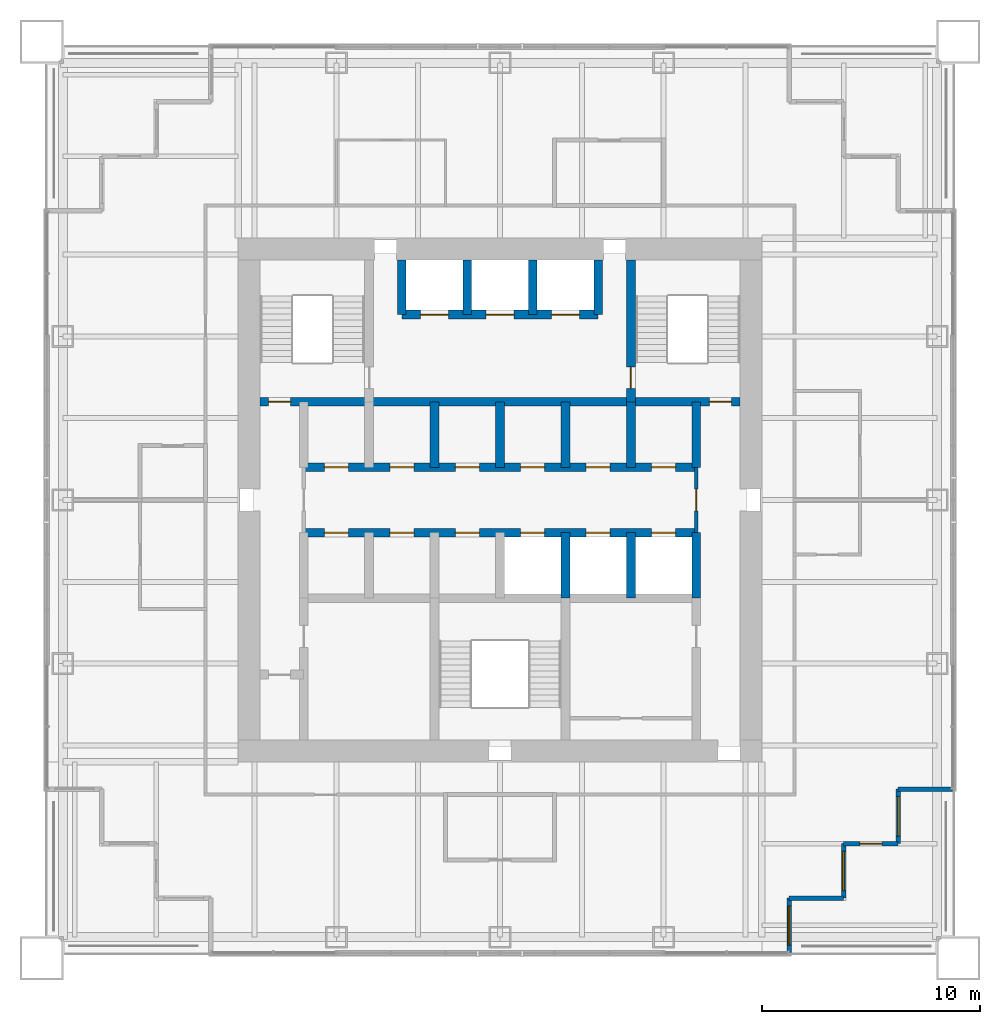
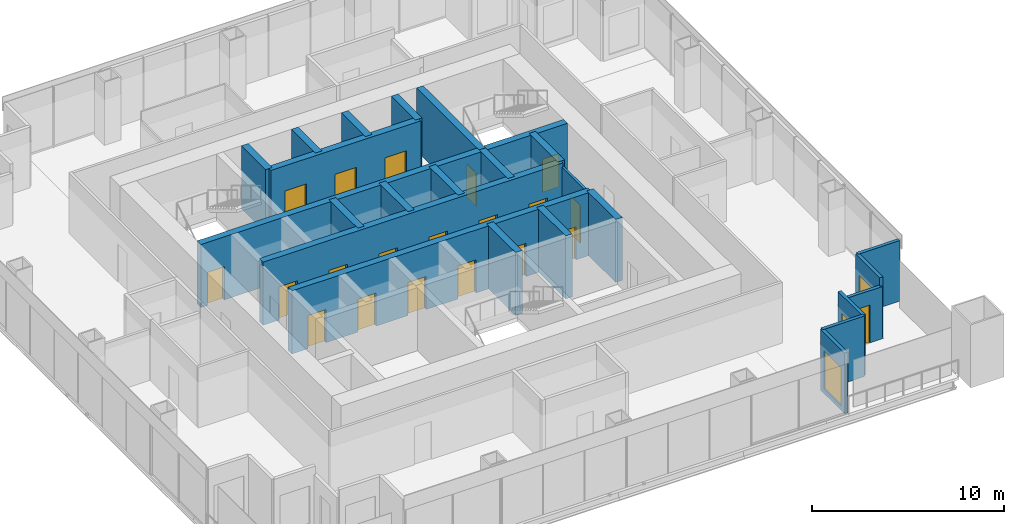
# One storey, part 10 of 14: 24 walls, 20 doors, 3 windows, 23 openings.
"""IFC4 building model written with IfcOpenShell, lengths in metres."""

from ifc_helpers import new_model, si_unit, direction, frame, frame_2d, origin, place, context, subcontext, project, spatial, rectangle, extrude, material, layer, layer_set, type_object, element, fill, save


model = new_model("IFC4")

# Units and contexts
model_context = context("Model", 3, precision=1e-05, world=origin(), true_north=direction((0.0, 1.0)))
body_context = subcontext(model_context, "Body", "Model", "MODEL_VIEW")
ifc_project = project(units=[si_unit("LENGTHUNIT", "METRE"), si_unit("AREAUNIT", "SQUARE_METRE"), si_unit("VOLUMEUNIT", "CUBIC_METRE"), si_unit("PLANEANGLEUNIT", "RADIAN"), si_unit("MASSUNIT", "GRAM", prefix="KILO")], contexts=[model_context])

# Site, building, storey
site_placement = place(None, origin())
site = spatial("IfcSite", under=ifc_project, at=site_placement, CompositionType="ELEMENT")
building_placement = place(site_placement, origin())
building = spatial("IfcBuilding", under=site, at=building_placement, Name="Tarangal Relay Tower", CompositionType="ELEMENT")
storey_placement = place(building_placement, frame((0.0, 0.0, 279.89990234375)))
storey = spatial("IfcBuildingStorey", under=building, at=storey_placement, Name="L61", CompositionType="ELEMENT", Elevation=279.89990234375)

# Wall, openings, doors
ifc_material_1 = material(Name="Concrete fc' 60 MPa", Category="concrete")
ifc_layer_1 = layer(ifc_material_1, 0.39990234375)
ifc_layer_set_1 = layer_set([ifc_layer_1], Name="Core inner wall 400")
wall_type_1 = type_object("IfcWallType", Name="Core inner wall 400", PredefinedType="SHEAR", material=ifc_layer_set_1)
wall_1_placement = place(storey_placement, frame((-11.0, 4.5, 0.0), z_axis=(0.0, 0.0, 1.0), x_axis=(1.0, 0.0, 0.0)))
wall_1 = element("IfcWall", 1, at=wall_1_placement, inside=storey, type_object=wall_type_1, Name="Core wall Y45 L61", PredefinedType="SHEAR", context=body_context, shape_type="SweptSolid", body=[
    extrude(rectangle(XDim=22.0, YDim=0.39990234375, at=frame_2d((11.0, 0.0))), origin(), (0.0, 0.0, 1.0), 4.0),
])
opening_1_placement = place(wall_1_placement, frame((0.39990234375, 0.0, 0.0)))
opening_1 = element("IfcOpeningElement", 2, at=opening_1_placement, cuts=wall_1, Name="Opening FD1", PredefinedType="OPENING", context=body_context, shape_type="SweptSolid", body=[
    extrude(rectangle(XDim=1.0, YDim=2.10009765625, at=frame_2d((0.5, 1.050048828125))), frame((0.0, 0.2099609375, 0.0), z_axis=(0.0, -1.0, 0.0), x_axis=(1.0, 0.0, 0.0)), (0.0, 0.0, 1.0), 0.419921875),
])
opening_2_placement = place(wall_1_placement, frame((20.60009765625, 0.0, 0.0)))
opening_2 = element("IfcOpeningElement", 3, at=opening_2_placement, cuts=wall_1, Name="Opening FD1", PredefinedType="OPENING", context=body_context, shape_type="SweptSolid", body=[
    extrude(rectangle(XDim=1.0, YDim=2.10009765625, at=frame_2d((0.5, 1.050048828125))), frame((0.0, 0.2099609375, 0.0), z_axis=(0.0, -1.0, 0.0), x_axis=(1.0, 0.0, 0.0)), (0.0, 0.0, 1.0), 0.419921875),
])
ifc_material_2 = material(Name="Steel door with hardwood frame", Category="steel")
door_type_1 = type_object("IfcDoorType", Name="Fire door 1000 x 2100", OperationType="SINGLE_SWING_LEFT", PredefinedType="DOOR", material=ifc_material_2)
door_1_placement = place(opening_1_placement, origin())
door_1 = element("IfcDoor", 4, at=door_1_placement, inside=storey, type_object=door_type_1, Name="Stair ST-A door from corridor L61", OperationType="SINGLE_SWING_LEFT", OverallHeight=2.10009765625, OverallWidth=1.0, PredefinedType="DOOR", context=body_context, shape_type="SweptSolid", body=[
    extrude(rectangle(XDim=1.0, YDim=2.10009765625, at=frame_2d((0.5, 1.050048828125))), frame((0.0, 0.02490234375, 0.0), z_axis=(0.0, -1.0, 0.0), x_axis=(1.0, 0.0, 0.0)), (0.0, 0.0, 1.0), 0.050048828125),
])
fill(opening_1, door_1)
door_2_placement = place(opening_2_placement, origin())
door_2 = element("IfcDoor", 5, at=door_2_placement, inside=storey, type_object=door_type_1, Name="Stair ST-B door from corridor L61", OperationType="SINGLE_SWING_LEFT", OverallHeight=2.10009765625, OverallWidth=1.0, PredefinedType="DOOR", context=body_context, shape_type="SweptSolid", body=[
    extrude(rectangle(XDim=1.0, YDim=2.10009765625, at=frame_2d((0.5, 1.050048828125))), frame((0.0, 0.02490234375, 0.0), z_axis=(0.0, -1.0, 0.0), x_axis=(1.0, 0.0, 0.0)), (0.0, 0.0, 1.0), 0.050048828125),
])
fill(opening_2, door_2)

wall_2_placement = place(storey_placement, frame((-9.0, 1.5, 0.0), z_axis=(0.0, 0.0, 1.0), x_axis=(1.0, 0.0, 0.0)))
wall_2 = element("IfcWall", 6, at=wall_2_placement, inside=storey, type_object=wall_type_1, Name="Core wall Y15 L61", PredefinedType="SHEAR", context=body_context, shape_type="SweptSolid", body=[
    extrude(rectangle(XDim=18.0, YDim=0.39990234375, at=frame_2d((9.0, 0.0))), origin(), (0.0, 0.0, 1.0), 4.0),
])
opening_3_placement = place(wall_2_placement, frame((0.949951171875, 0.0, 0.0)))
opening_3 = element("IfcOpeningElement", 7, at=opening_3_placement, cuts=wall_2, Name="Opening D4", PredefinedType="OPENING", context=body_context, shape_type="SweptSolid", body=[
    extrude(rectangle(XDim=1.10009765625, YDim=2.10009765625, at=frame_2d((0.550048828125, 1.050048828125))), frame((0.0, 0.2099609375, 0.0), z_axis=(0.0, -1.0, 0.0), x_axis=(1.0, 0.0, 0.0)), (0.0, 0.0, 1.0), 0.419921875),
])
opening_4_placement = place(wall_2_placement, frame((3.949951171875, 0.0, 0.0)))
opening_4 = element("IfcOpeningElement", 8, at=opening_4_placement, cuts=wall_2, Name="Opening D4", PredefinedType="OPENING", context=body_context, shape_type="SweptSolid", body=[
    extrude(rectangle(XDim=1.10009765625, YDim=2.10009765625, at=frame_2d((0.550048828125, 1.050048828125))), frame((0.0, 0.2099609375, 0.0), z_axis=(0.0, -1.0, 0.0), x_axis=(1.0, 0.0, 0.0)), (0.0, 0.0, 1.0), 0.419921875),
])
opening_5_placement = place(wall_2_placement, frame((6.949951171875, 0.0, 0.0)))
opening_5 = element("IfcOpeningElement", 9, at=opening_5_placement, cuts=wall_2, Name="Opening D4", PredefinedType="OPENING", context=body_context, shape_type="SweptSolid", body=[
    extrude(rectangle(XDim=1.10009765625, YDim=2.10009765625, at=frame_2d((0.550048828125, 1.050048828125))), frame((0.0, 0.2099609375, 0.0), z_axis=(0.0, -1.0, 0.0), x_axis=(1.0, 0.0, 0.0)), (0.0, 0.0, 1.0), 0.419921875),
])
opening_6_placement = place(wall_2_placement, frame((9.949951171875, 0.0, 0.0)))
opening_6 = element("IfcOpeningElement", 10, at=opening_6_placement, cuts=wall_2, Name="Opening D4", PredefinedType="OPENING", context=body_context, shape_type="SweptSolid", body=[
    extrude(rectangle(XDim=1.10009765625, YDim=2.10009765625, at=frame_2d((0.550048828125, 1.050048828125))), frame((0.0, 0.2099609375, 0.0), z_axis=(0.0, -1.0, 0.0), x_axis=(1.0, 0.0, 0.0)), (0.0, 0.0, 1.0), 0.419921875),
])
opening_7_placement = place(wall_2_placement, frame((12.949951171875, 0.0, 0.0)))
opening_7 = element("IfcOpeningElement", 11, at=opening_7_placement, cuts=wall_2, Name="Opening D4", PredefinedType="OPENING", context=body_context, shape_type="SweptSolid", body=[
    extrude(rectangle(XDim=1.10009765625, YDim=2.10009765625, at=frame_2d((0.550048828125, 1.050048828125))), frame((0.0, 0.2099609375, 0.0), z_axis=(0.0, -1.0, 0.0), x_axis=(1.0, 0.0, 0.0)), (0.0, 0.0, 1.0), 0.419921875),
])
opening_8_placement = place(wall_2_placement, frame((15.949951171875, 0.0, 0.0)))
opening_8 = element("IfcOpeningElement", 12, at=opening_8_placement, cuts=wall_2, Name="Opening D4", PredefinedType="OPENING", context=body_context, shape_type="SweptSolid", body=[
    extrude(rectangle(XDim=1.10009765625, YDim=2.10009765625, at=frame_2d((0.550048828125, 1.050048828125))), frame((0.0, 0.2099609375, 0.0), z_axis=(0.0, -1.0, 0.0), x_axis=(1.0, 0.0, 0.0)), (0.0, 0.0, 1.0), 0.419921875),
])
door_type_2 = type_object("IfcDoorType", Name="Core room door 1100 x 2100", OperationType="SINGLE_SWING_RIGHT", PredefinedType="DOOR", material=ifc_material_2)
door_3_placement = place(opening_3_placement, origin())
door_3 = element("IfcDoor", 13, at=door_3_placement, inside=storey, type_object=door_type_2, Name="Door D4 to staff wc L61-D1", OperationType="SINGLE_SWING_RIGHT", OverallHeight=2.10009765625, OverallWidth=1.10009765625, PredefinedType="DOOR", context=body_context, shape_type="SweptSolid", body=[
    extrude(rectangle(XDim=1.10009765625, YDim=2.10009765625, at=frame_2d((0.550048828125, 1.050048828125))), frame((0.0, 0.02490234375, 0.0), z_axis=(0.0, -1.0, 0.0), x_axis=(1.0, 0.0, 0.0)), (0.0, 0.0, 1.0), 0.050048828125),
])
fill(opening_3, door_3)
door_4_placement = place(opening_4_placement, origin())
door_4 = element("IfcDoor", 14, at=door_4_placement, inside=storey, type_object=door_type_2, Name="Door D4 to staff pantry L61-D2", OperationType="SINGLE_SWING_RIGHT", OverallHeight=2.10009765625, OverallWidth=1.10009765625, PredefinedType="DOOR", context=body_context, shape_type="SweptSolid", body=[
    extrude(rectangle(XDim=1.10009765625, YDim=2.10009765625, at=frame_2d((0.550048828125, 1.050048828125))), frame((0.0, 0.02490234375, 0.0), z_axis=(0.0, -1.0, 0.0), x_axis=(1.0, 0.0, 0.0)), (0.0, 0.0, 1.0), 0.050048828125),
])
fill(opening_4, door_4)
door_5_placement = place(opening_5_placement, origin())
door_5 = element("IfcDoor", 15, at=door_5_placement, inside=storey, type_object=door_type_2, Name="Door D4 to it room L61-D3", OperationType="SINGLE_SWING_RIGHT", OverallHeight=2.10009765625, OverallWidth=1.10009765625, PredefinedType="DOOR", context=body_context, shape_type="SweptSolid", body=[
    extrude(rectangle(XDim=1.10009765625, YDim=2.10009765625, at=frame_2d((0.550048828125, 1.050048828125))), frame((0.0, 0.02490234375, 0.0), z_axis=(0.0, -1.0, 0.0), x_axis=(1.0, 0.0, 0.0)), (0.0, 0.0, 1.0), 0.050048828125),
])
fill(opening_5, door_5)
door_6_placement = place(opening_6_placement, origin())
door_6 = element("IfcDoor", 16, at=door_6_placement, inside=storey, type_object=door_type_2, Name="Door D4 to cleaner's store L61-T1", OperationType="SINGLE_SWING_RIGHT", OverallHeight=2.10009765625, OverallWidth=1.10009765625, PredefinedType="DOOR", context=body_context, shape_type="SweptSolid", body=[
    extrude(rectangle(XDim=1.10009765625, YDim=2.10009765625, at=frame_2d((0.550048828125, 1.050048828125))), frame((0.0, 0.02490234375, 0.0), z_axis=(0.0, -1.0, 0.0), x_axis=(1.0, 0.0, 0.0)), (0.0, 0.0, 1.0), 0.050048828125),
])
fill(opening_6, door_6)
door_7_placement = place(opening_7_placement, origin())
door_7 = element("IfcDoor", 17, at=door_7_placement, inside=storey, type_object=door_type_2, Name="Door D4 to staff wc L61-T2", OperationType="SINGLE_SWING_RIGHT", OverallHeight=2.10009765625, OverallWidth=1.10009765625, PredefinedType="DOOR", context=body_context, shape_type="SweptSolid", body=[
    extrude(rectangle(XDim=1.10009765625, YDim=2.10009765625, at=frame_2d((0.550048828125, 1.050048828125))), frame((0.0, 0.02490234375, 0.0), z_axis=(0.0, -1.0, 0.0), x_axis=(1.0, 0.0, 0.0)), (0.0, 0.0, 1.0), 0.050048828125),
])
fill(opening_7, door_7)
door_8_placement = place(opening_8_placement, origin())
door_8 = element("IfcDoor", 18, at=door_8_placement, inside=storey, type_object=door_type_2, Name="Door D4 to staff pantry L61-T3", OperationType="SINGLE_SWING_RIGHT", OverallHeight=2.10009765625, OverallWidth=1.10009765625, PredefinedType="DOOR", context=body_context, shape_type="SweptSolid", body=[
    extrude(rectangle(XDim=1.10009765625, YDim=2.10009765625, at=frame_2d((0.550048828125, 1.050048828125))), frame((0.0, 0.02490234375, 0.0), z_axis=(0.0, -1.0, 0.0), x_axis=(1.0, 0.0, 0.0)), (0.0, 0.0, 1.0), 0.050048828125),
])
fill(opening_8, door_8)

wall_3_placement = place(storey_placement, frame((-9.0, -1.5, 0.0), z_axis=(0.0, 0.0, 1.0), x_axis=(1.0, 0.0, 0.0)))
wall_3 = element("IfcWall", 19, at=wall_3_placement, inside=storey, type_object=wall_type_1, Name="Core wall YM15 L61", PredefinedType="SHEAR", context=body_context, shape_type="SweptSolid", body=[
    extrude(rectangle(XDim=18.0, YDim=0.39990234375, at=frame_2d((9.0, 0.0))), origin(), (0.0, 0.0, 1.0), 4.0),
])
opening_9_placement = place(wall_3_placement, frame((9.949951171875, 0.0, 0.0)))
opening_9 = element("IfcOpeningElement", 20, at=opening_9_placement, cuts=wall_3, Name="Opening LD1", PredefinedType="OPENING", context=body_context, shape_type="SweptSolid", body=[
    extrude(rectangle(XDim=1.10009765625, YDim=2.10009765625, at=frame_2d((0.550048828125, 1.050048828125))), frame((0.0, 0.2099609375, 0.0), z_axis=(0.0, -1.0, 0.0), x_axis=(1.0, 0.0, 0.0)), (0.0, 0.0, 1.0), 0.419921875),
])
opening_10_placement = place(wall_3_placement, frame((12.949951171875, 0.0, 0.0)))
opening_10 = element("IfcOpeningElement", 21, at=opening_10_placement, cuts=wall_3, Name="Opening LD1", PredefinedType="OPENING", context=body_context, shape_type="SweptSolid", body=[
    extrude(rectangle(XDim=1.10009765625, YDim=2.10009765625, at=frame_2d((0.550048828125, 1.050048828125))), frame((0.0, 0.2099609375, 0.0), z_axis=(0.0, -1.0, 0.0), x_axis=(1.0, 0.0, 0.0)), (0.0, 0.0, 1.0), 0.419921875),
])
opening_11_placement = place(wall_3_placement, frame((15.949951171875, 0.0, 0.0)))
opening_11 = element("IfcOpeningElement", 22, at=opening_11_placement, cuts=wall_3, Name="Opening LD1", PredefinedType="OPENING", context=body_context, shape_type="SweptSolid", body=[
    extrude(rectangle(XDim=1.10009765625, YDim=2.10009765625, at=frame_2d((0.550048828125, 1.050048828125))), frame((0.0, 0.2099609375, 0.0), z_axis=(0.0, -1.0, 0.0), x_axis=(1.0, 0.0, 0.0)), (0.0, 0.0, 1.0), 0.419921875),
])
opening_12_placement = place(wall_3_placement, frame((0.949951171875, 0.0, 0.0)))
opening_12 = element("IfcOpeningElement", 23, at=opening_12_placement, cuts=wall_3, Name="Opening D4", PredefinedType="OPENING", context=body_context, shape_type="SweptSolid", body=[
    extrude(rectangle(XDim=1.10009765625, YDim=2.10009765625, at=frame_2d((0.550048828125, 1.050048828125))), frame((0.0, 0.2099609375, 0.0), z_axis=(0.0, -1.0, 0.0), x_axis=(1.0, 0.0, 0.0)), (0.0, 0.0, 1.0), 0.419921875),
])
opening_13_placement = place(wall_3_placement, frame((3.949951171875, 0.0, 0.0)))
opening_13 = element("IfcOpeningElement", 24, at=opening_13_placement, cuts=wall_3, Name="Opening D4", PredefinedType="OPENING", context=body_context, shape_type="SweptSolid", body=[
    extrude(rectangle(XDim=1.10009765625, YDim=2.10009765625, at=frame_2d((0.550048828125, 1.050048828125))), frame((0.0, 0.2099609375, 0.0), z_axis=(0.0, -1.0, 0.0), x_axis=(1.0, 0.0, 0.0)), (0.0, 0.0, 1.0), 0.419921875),
])
opening_14_placement = place(wall_3_placement, frame((6.949951171875, 0.0, 0.0)))
opening_14 = element("IfcOpeningElement", 25, at=opening_14_placement, cuts=wall_3, Name="Opening D4", PredefinedType="OPENING", context=body_context, shape_type="SweptSolid", body=[
    extrude(rectangle(XDim=1.10009765625, YDim=2.10009765625, at=frame_2d((0.550048828125, 1.050048828125))), frame((0.0, 0.2099609375, 0.0), z_axis=(0.0, -1.0, 0.0), x_axis=(1.0, 0.0, 0.0)), (0.0, 0.0, 1.0), 0.419921875),
])
door_9_placement = place(opening_12_placement, origin())
door_9 = element("IfcDoor", 26, at=door_9_placement, inside=storey, type_object=door_type_2, Name="Door D4 to it room L61-S1", OperationType="SINGLE_SWING_RIGHT", OverallHeight=2.10009765625, OverallWidth=1.10009765625, PredefinedType="DOOR", context=body_context, shape_type="SweptSolid", body=[
    extrude(rectangle(XDim=1.10009765625, YDim=2.10009765625, at=frame_2d((0.550048828125, 1.050048828125))), frame((0.0, 0.02490234375, 0.0), z_axis=(0.0, -1.0, 0.0), x_axis=(1.0, 0.0, 0.0)), (0.0, 0.0, 1.0), 0.050048828125),
])
fill(opening_12, door_9)
door_10_placement = place(opening_13_placement, origin())
door_10 = element("IfcDoor", 27, at=door_10_placement, inside=storey, type_object=door_type_2, Name="Door D4 to cleaner's store L61-S2", OperationType="SINGLE_SWING_RIGHT", OverallHeight=2.10009765625, OverallWidth=1.10009765625, PredefinedType="DOOR", context=body_context, shape_type="SweptSolid", body=[
    extrude(rectangle(XDim=1.10009765625, YDim=2.10009765625, at=frame_2d((0.550048828125, 1.050048828125))), frame((0.0, 0.02490234375, 0.0), z_axis=(0.0, -1.0, 0.0), x_axis=(1.0, 0.0, 0.0)), (0.0, 0.0, 1.0), 0.050048828125),
])
fill(opening_13, door_10)
door_11_placement = place(opening_14_placement, origin())
door_11 = element("IfcDoor", 28, at=door_11_placement, inside=storey, type_object=door_type_2, Name="Door D4 to staff wc L61-S3", OperationType="SINGLE_SWING_RIGHT", OverallHeight=2.10009765625, OverallWidth=1.10009765625, PredefinedType="DOOR", context=body_context, shape_type="SweptSolid", body=[
    extrude(rectangle(XDim=1.10009765625, YDim=2.10009765625, at=frame_2d((0.550048828125, 1.050048828125))), frame((0.0, 0.02490234375, 0.0), z_axis=(0.0, -1.0, 0.0), x_axis=(1.0, 0.0, 0.0)), (0.0, 0.0, 1.0), 0.050048828125),
])
fill(opening_14, door_11)
door_type_3 = type_object("IfcDoorType", Name="Lift landing door 1100 x 2100", OperationType="SLIDING_TO_LEFT", PredefinedType="DOOR", material=ifc_material_2)
door_12_placement = place(opening_9_placement, origin())
door_12 = element("IfcDoor", 29, at=door_12_placement, inside=storey, type_object=door_type_3, Name="Lift OH1 landing door L61", OperationType="SLIDING_TO_LEFT", OverallHeight=2.10009765625, OverallWidth=1.10009765625, PredefinedType="DOOR", context=body_context, shape_type="SweptSolid", body=[
    extrude(rectangle(XDim=1.10009765625, YDim=2.10009765625, at=frame_2d((0.550048828125, 1.050048828125))), frame((0.0, 0.02490234375, 0.0), z_axis=(0.0, -1.0, 0.0), x_axis=(1.0, 0.0, 0.0)), (0.0, 0.0, 1.0), 0.050048828125),
])
fill(opening_9, door_12)
door_13_placement = place(opening_10_placement, origin())
door_13 = element("IfcDoor", 30, at=door_13_placement, inside=storey, type_object=door_type_3, Name="Lift OH2 landing door L61", OperationType="SLIDING_TO_LEFT", OverallHeight=2.10009765625, OverallWidth=1.10009765625, PredefinedType="DOOR", context=body_context, shape_type="SweptSolid", body=[
    extrude(rectangle(XDim=1.10009765625, YDim=2.10009765625, at=frame_2d((0.550048828125, 1.050048828125))), frame((0.0, 0.02490234375, 0.0), z_axis=(0.0, -1.0, 0.0), x_axis=(1.0, 0.0, 0.0)), (0.0, 0.0, 1.0), 0.050048828125),
])
fill(opening_10, door_13)
door_14_placement = place(opening_11_placement, origin())
door_14 = element("IfcDoor", 31, at=door_14_placement, inside=storey, type_object=door_type_3, Name="Lift OH3 landing door L61", OperationType="SLIDING_TO_LEFT", OverallHeight=2.10009765625, OverallWidth=1.10009765625, PredefinedType="DOOR", context=body_context, shape_type="SweptSolid", body=[
    extrude(rectangle(XDim=1.10009765625, YDim=2.10009765625, at=frame_2d((0.550048828125, 1.050048828125))), frame((0.0, 0.02490234375, 0.0), z_axis=(0.0, -1.0, 0.0), x_axis=(1.0, 0.0, 0.0)), (0.0, 0.0, 1.0), 0.050048828125),
])
fill(opening_11, door_14)

wall_4_placement = place(storey_placement, frame((-4.5, 8.5, 0.0), z_axis=(0.0, 0.0, 1.0), x_axis=(1.0, 0.0, 0.0)))
wall_4 = element("IfcWall", 32, at=wall_4_placement, inside=storey, type_object=wall_type_1, Name="Core wall Y85 L61", PredefinedType="SHEAR", context=body_context, shape_type="SweptSolid", body=[
    extrude(rectangle(XDim=9.0, YDim=0.39990234375, at=frame_2d((4.5, 0.0))), origin(), (0.0, 0.0, 1.0), 4.0),
])
opening_15_placement = place(wall_4_placement, frame((0.85009765625, 0.0, 0.0)))
opening_15 = element("IfcOpeningElement", 33, at=opening_15_placement, cuts=wall_4, Name="Opening LD2", PredefinedType="OPENING", context=body_context, shape_type="SweptSolid", body=[
    extrude(rectangle(XDim=1.300048828125, YDim=2.39990234375, at=frame_2d((0.64990234375, 1.199951171875))), frame((0.0, 0.2099609375, 0.0), z_axis=(0.0, -1.0, 0.0), x_axis=(1.0, 0.0, 0.0)), (0.0, 0.0, 1.0), 0.419921875),
])
opening_16_placement = place(wall_4_placement, frame((6.85009765625, 0.0, 0.0)))
opening_16 = element("IfcOpeningElement", 34, at=opening_16_placement, cuts=wall_4, Name="Opening LD2", PredefinedType="OPENING", context=body_context, shape_type="SweptSolid", body=[
    extrude(rectangle(XDim=1.300048828125, YDim=2.39990234375, at=frame_2d((0.64990234375, 1.199951171875))), frame((0.0, 0.2099609375, 0.0), z_axis=(0.0, -1.0, 0.0), x_axis=(1.0, 0.0, 0.0)), (0.0, 0.0, 1.0), 0.419921875),
])
opening_17_placement = place(wall_4_placement, frame((3.85009765625, 0.0, 0.0)))
opening_17 = element("IfcOpeningElement", 35, at=opening_17_placement, cuts=wall_4, Name="Opening LD2", PredefinedType="OPENING", context=body_context, shape_type="SweptSolid", body=[
    extrude(rectangle(XDim=1.300048828125, YDim=2.39990234375, at=frame_2d((0.64990234375, 1.199951171875))), frame((0.0, 0.2099609375, 0.0), z_axis=(0.0, -1.0, 0.0), x_axis=(1.0, 0.0, 0.0)), (0.0, 0.0, 1.0), 0.419921875),
])
door_type_4 = type_object("IfcDoorType", Name="Lift landing door 1300 x 2400", OperationType="SLIDING_TO_LEFT", PredefinedType="DOOR", material=ifc_material_2)
door_15_placement = place(opening_15_placement, origin())
door_15 = element("IfcDoor", 36, at=door_15_placement, inside=storey, type_object=door_type_4, Name="Lift FF1 landing door L61", OperationType="SLIDING_TO_LEFT", OverallHeight=2.39990234375, OverallWidth=1.300048828125, PredefinedType="DOOR", context=body_context, shape_type="SweptSolid", body=[
    extrude(rectangle(XDim=1.300048828125, YDim=2.39990234375, at=frame_2d((0.64990234375, 1.199951171875))), frame((0.0, 0.02490234375, 0.0), z_axis=(0.0, -1.0, 0.0), x_axis=(1.0, 0.0, 0.0)), (0.0, 0.0, 1.0), 0.050048828125),
])
fill(opening_15, door_15)
door_16_placement = place(opening_16_placement, origin())
door_16 = element("IfcDoor", 37, at=door_16_placement, inside=storey, type_object=door_type_4, Name="Lift FF2 landing door L61", OperationType="SLIDING_TO_LEFT", OverallHeight=2.39990234375, OverallWidth=1.300048828125, PredefinedType="DOOR", context=body_context, shape_type="SweptSolid", body=[
    extrude(rectangle(XDim=1.300048828125, YDim=2.39990234375, at=frame_2d((0.64990234375, 1.199951171875))), frame((0.0, 0.02490234375, 0.0), z_axis=(0.0, -1.0, 0.0), x_axis=(1.0, 0.0, 0.0)), (0.0, 0.0, 1.0), 0.050048828125),
])
fill(opening_16, door_16)
door_17_placement = place(opening_17_placement, origin())
door_17 = element("IfcDoor", 38, at=door_17_placement, inside=storey, type_object=door_type_4, Name="Lift SV1 landing door L61", OperationType="SLIDING_TO_LEFT", OverallHeight=2.39990234375, OverallWidth=1.300048828125, PredefinedType="DOOR", context=body_context, shape_type="SweptSolid", body=[
    extrude(rectangle(XDim=1.300048828125, YDim=2.39990234375, at=frame_2d((0.64990234375, 1.199951171875))), frame((0.0, 0.02490234375, 0.0), z_axis=(0.0, -1.0, 0.0), x_axis=(1.0, 0.0, 0.0)), (0.0, 0.0, 1.0), 0.050048828125),
])
fill(opening_17, door_17)

# Walls
for number, where, z_axis, x_axis, name in (
    (39, (9.0, 1.5, 0.0), (0.0, 0.0, 1.0), (0.0, 1.0, 0.0), "Core wall X9N L61"),
    (40, (9.0, -4.5, 0.0), (0.0, 0.0, 1.0), (0.0, 1.0, 0.0), "Core wall X9S L61"),
    (41, (-3.0, 1.5, 0.0), (0.0, 0.0, 1.0), (0.0, 1.0, 0.0), "Core wall XM3N L61"),
    (42, (0.0, 1.5, 0.0), (0.0, 0.0, 1.0), (0.0, 1.0, 0.0), "Core wall X0N L61"),
    (43, (3.0, 1.5, 0.0), (0.0, 0.0, 1.0), (0.0, 1.0, 0.0), "Core wall X3N L61"),
    (44, (6.0, 1.5, 0.0), (0.0, 0.0, 1.0), (0.0, 1.0, 0.0), "Core wall X6N L61"),
    (45, (3.0, -4.5, 0.0), (0.0, 0.0, 1.0), (0.0, 1.0, 0.0), "Core wall X3S L61"),
    (46, (6.0, -4.5, 0.0), (0.0, 0.0, 1.0), (0.0, 1.0, 0.0), "Core wall X6S L61"),
):
    element("IfcWall", number, at=place(storey_placement, frame(where, z_axis=z_axis, x_axis=x_axis)), inside=storey, type_object=wall_type_1, Name=name, PredefinedType="SHEAR", context=body_context, shape_type="SweptSolid", body=[
        extrude(rectangle(XDim=3.0, YDim=0.39990234375, at=frame_2d((1.5, 0.0))), origin(), (0.0, 0.0, 1.0), 4.0),
    ])

# Wall, opening, door
wall_5_placement = place(storey_placement, frame((6.0, 4.5, 0.0), z_axis=(0.0, 0.0, 1.0), x_axis=(0.0, 1.0, 0.0)))
wall_5 = element("IfcWall", 47, at=wall_5_placement, inside=storey, type_object=wall_type_1, Name="Core wall X6 L61", PredefinedType="SHEAR", context=body_context, shape_type="SweptSolid", body=[
    extrude(rectangle(XDim=6.5, YDim=0.39990234375, at=frame_2d((3.25, 0.0))), origin(), (0.0, 0.0, 1.0), 4.0),
])
opening_18_placement = place(wall_5_placement, frame((0.60009765625, 0.0, 0.0)))
opening_18 = element("IfcOpeningElement", 48, at=opening_18_placement, cuts=wall_5, Name="Opening FD1", PredefinedType="OPENING", context=body_context, shape_type="SweptSolid", body=[
    extrude(rectangle(XDim=1.0, YDim=2.10009765625, at=frame_2d((0.5, 1.050048828125))), frame((0.0, 0.2099609375, 0.0), z_axis=(0.0, -1.0, 0.0), x_axis=(1.0, 0.0, 0.0)), (0.0, 0.0, 1.0), 0.419921875),
])
door_18_placement = place(opening_18_placement, origin())
door_18 = element("IfcDoor", 49, at=door_18_placement, inside=storey, type_object=door_type_1, Name="Stair ST-B door from fire-fighting lobby L61", OperationType="SINGLE_SWING_LEFT", OverallHeight=2.10009765625, OverallWidth=1.0, PredefinedType="DOOR", context=body_context, shape_type="SweptSolid", body=[
    extrude(rectangle(XDim=1.0, YDim=2.10009765625, at=frame_2d((0.5, 1.050048828125))), frame((0.0, 0.02490234375, 0.0), z_axis=(0.0, -1.0, 0.0), x_axis=(1.0, 0.0, 0.0)), (0.0, 0.0, 1.0), 0.050048828125),
])
fill(opening_18, door_18)

# Walls
for number, where, z_axis, x_axis, name in (
    (50, (-4.5, 8.5, 0.0), (0.0, 0.0, 1.0), (0.0, 1.0, 0.0), "Core wall XM45 L61"),
    (51, (4.5, 8.5, 0.0), (0.0, 0.0, 1.0), (0.0, 1.0, 0.0), "Core wall X45 L61"),
    (52, (-1.5, 8.5, 0.0), (0.0, 0.0, 1.0), (0.0, 1.0, 0.0), "Core wall XM15 L61"),
    (53, (1.5, 8.5, 0.0), (0.0, 0.0, 1.0), (0.0, 1.0, 0.0), "Core wall X15 L61"),
):
    element("IfcWall", number, at=place(storey_placement, frame(where, z_axis=z_axis, x_axis=x_axis)), inside=storey, type_object=wall_type_1, Name=name, PredefinedType="SHEAR", context=body_context, shape_type="SweptSolid", body=[
        extrude(rectangle(XDim=2.5, YDim=0.39990234375, at=frame_2d((1.25, 0.0))), origin(), (0.0, 0.0, 1.0), 4.0),
    ])
ifc_material_3 = material(Name="Black metal clad insulated wall", Category="steel")
ifc_layer_2 = layer(ifc_material_3, 0.199951171875)
ifc_layer_set_2 = layer_set([ifc_layer_2], Name="Corner wall metal clad 200")
wall_type_2 = type_object("IfcWallType", Name="Corner wall metal clad 200", PredefinedType="SOLIDWALL", material=ifc_layer_set_2)
wall_6_placement = place(storey_placement, frame((20.75, -13.25, 0.0), z_axis=(0.0, 0.0, 1.0), x_axis=(-1.0, 0.0, 0.0)))
element("IfcWall", 54, at=wall_6_placement, inside=storey, type_object=wall_type_2, Name="Facade wall E facade L61", PredefinedType="SOLIDWALL", context=body_context, shape_type="SweptSolid", body=[
    extrude(rectangle(XDim=2.5, YDim=0.199951171875, at=frame_2d((1.25, 0.0))), origin(), (0.0, 0.0, 1.0), 3.85009765625),
])

# Wall, opening, window
wall_7_placement = place(storey_placement, frame((18.25, -13.25, 0.0), z_axis=(0.0, 0.0, 1.0), x_axis=(0.0, -1.0, 0.0)))
wall_7 = element("IfcWall", 55, at=wall_7_placement, inside=storey, type_object=wall_type_2, Name="Facade wall E facade L61", PredefinedType="SOLIDWALL", context=body_context, shape_type="SweptSolid", body=[
    extrude(rectangle(XDim=2.5, YDim=0.199951171875, at=frame_2d((1.25, 0.0))), origin(), (0.0, 0.0, 1.0), 3.85009765625),
])
opening_19_placement = place(wall_7_placement, frame((0.35009765625, 0.0, 0.300048828125)))
opening_19 = element("IfcOpeningElement", 56, at=opening_19_placement, cuts=wall_7, Name="Opening WN2", PredefinedType="OPENING", context=body_context, shape_type="SweptSolid", body=[
    extrude(rectangle(XDim=1.800048828125, YDim=2.39990234375, at=frame_2d((0.89990234375, 1.199951171875))), frame((0.0, 0.10986328125, 0.0), z_axis=(0.0, -1.0, 0.0), x_axis=(1.0, 0.0, 0.0)), (0.0, 0.0, 1.0), 0.219970703125),
])
ifc_material_4 = material(Name="Dark tinted double glazing in black aluminium frame", Category="aluminium")
window_type = type_object("IfcWindowType", Name="Corner window 1800 x 2400", PartitioningType="SINGLE_PANEL", PredefinedType="WINDOW", material=ifc_material_4)
window_1_placement = place(opening_19_placement, origin())
window_1 = element("IfcWindow", 57, at=window_1_placement, inside=storey, type_object=window_type, Name="Corner window WN2 E facade L61", OverallHeight=2.39990234375, OverallWidth=1.800048828125, PartitioningType="SINGLE_PANEL", PredefinedType="WINDOW", context=body_context, shape_type="SweptSolid", body=[
    extrude(rectangle(XDim=1.800048828125, YDim=2.39990234375, at=frame_2d((0.89990234375, 1.199951171875))), frame((0.0, 0.030029296875, 0.0), z_axis=(0.0, -1.0, 0.0), x_axis=(1.0, 0.0, 0.0)), (0.0, 0.0, 1.0), 0.06005859375),
])
fill(opening_19, window_1)

# Wall, opening, door
wall_8_placement = place(storey_placement, frame((18.25, -15.75, 0.0), z_axis=(0.0, 0.0, 1.0), x_axis=(-1.0, 0.0, 0.0)))
wall_8 = element("IfcWall", 58, at=wall_8_placement, inside=storey, type_object=wall_type_2, Name="Facade wall E facade L61", PredefinedType="SOLIDWALL", context=body_context, shape_type="SweptSolid", body=[
    extrude(rectangle(XDim=2.5, YDim=0.199951171875, at=frame_2d((1.25, 0.0))), origin(), (0.0, 0.0, 1.0), 3.316650390625),
])
opening_20_placement = place(wall_8_placement, frame((0.75, 0.0, 0.0)))
opening_20 = element("IfcOpeningElement", 59, at=opening_20_placement, cuts=wall_8, Name="Opening TD1", PredefinedType="OPENING", context=body_context, shape_type="SweptSolid", body=[
    extrude(rectangle(XDim=1.0, YDim=2.39990234375, at=frame_2d((0.5, 1.199951171875))), frame((0.0, 0.10986328125, 0.0), z_axis=(0.0, -1.0, 0.0), x_axis=(1.0, 0.0, 0.0)), (0.0, 0.0, 1.0), 0.219970703125),
])
ifc_material_5 = material(Name="Aluminium glazed door", Category="aluminium")
door_type_5 = type_object("IfcDoorType", Name="Terrace door 1000 x 2400", OperationType="SINGLE_SWING_RIGHT", PredefinedType="DOOR", material=ifc_material_5)
door_19_placement = place(opening_20_placement, origin())
door_19 = element("IfcDoor", 60, at=door_19_placement, inside=storey, type_object=door_type_5, Name="Terrace door TD1 SE L61", OperationType="SINGLE_SWING_RIGHT", OverallHeight=2.39990234375, OverallWidth=1.0, PredefinedType="DOOR", context=body_context, shape_type="SweptSolid", body=[
    extrude(rectangle(XDim=1.0, YDim=2.39990234375, at=frame_2d((0.5, 1.199951171875))), frame((0.0, 0.02490234375, 0.0), z_axis=(0.0, -1.0, 0.0), x_axis=(1.0, 0.0, 0.0)), (0.0, 0.0, 1.0), 0.050048828125),
])
fill(opening_20, door_19)

# Wall, opening, window
wall_9_placement = place(storey_placement, frame((15.75, -15.75, 0.0), z_axis=(0.0, 0.0, 1.0), x_axis=(0.0, -1.0, 0.0)))
wall_9 = element("IfcWall", 61, at=wall_9_placement, inside=storey, type_object=wall_type_2, Name="Facade wall E facade L61", PredefinedType="SOLIDWALL", context=body_context, shape_type="SweptSolid", body=[
    extrude(rectangle(XDim=2.5, YDim=0.199951171875, at=frame_2d((1.25, 0.0))), origin(), (0.0, 0.0, 1.0), 3.85009765625),
])
opening_21_placement = place(wall_9_placement, frame((0.35009765625, 0.0, 0.300048828125)))
opening_21 = element("IfcOpeningElement", 62, at=opening_21_placement, cuts=wall_9, Name="Opening WN2", PredefinedType="OPENING", context=body_context, shape_type="SweptSolid", body=[
    extrude(rectangle(XDim=1.800048828125, YDim=2.39990234375, at=frame_2d((0.89990234375, 1.199951171875))), frame((0.0, 0.10986328125, 0.0), z_axis=(0.0, -1.0, 0.0), x_axis=(1.0, 0.0, 0.0)), (0.0, 0.0, 1.0), 0.219970703125),
])
window_2_placement = place(opening_21_placement, origin())
window_2 = element("IfcWindow", 63, at=window_2_placement, inside=storey, type_object=window_type, Name="Corner window WN2 E facade L61", OverallHeight=2.39990234375, OverallWidth=1.800048828125, PartitioningType="SINGLE_PANEL", PredefinedType="WINDOW", context=body_context, shape_type="SweptSolid", body=[
    extrude(rectangle(XDim=1.800048828125, YDim=2.39990234375, at=frame_2d((0.89990234375, 1.199951171875))), frame((0.0, 0.030029296875, 0.0), z_axis=(0.0, -1.0, 0.0), x_axis=(1.0, 0.0, 0.0)), (0.0, 0.0, 1.0), 0.06005859375),
])
fill(opening_21, window_2)

# Wall
wall_10_placement = place(storey_placement, frame((15.75, -18.25, 0.0), z_axis=(0.0, 0.0, 1.0), x_axis=(-1.0, 0.0, 0.0)))
element("IfcWall", 64, at=wall_10_placement, inside=storey, type_object=wall_type_2, Name="Facade wall E facade L61", PredefinedType="SOLIDWALL", context=body_context, shape_type="SweptSolid", body=[
    extrude(rectangle(XDim=2.5, YDim=0.199951171875, at=frame_2d((1.25, 0.0))), origin(), (0.0, 0.0, 1.0), 3.85009765625),
])

# Wall, opening, window
wall_11_placement = place(storey_placement, frame((13.25, -18.25, 0.0), z_axis=(0.0, 0.0, 1.0), x_axis=(0.0, -1.0, 0.0)))
wall_11 = element("IfcWall", 65, at=wall_11_placement, inside=storey, type_object=wall_type_2, Name="Facade wall E facade L61", PredefinedType="SOLIDWALL", context=body_context, shape_type="SweptSolid", body=[
    extrude(rectangle(XDim=2.5, YDim=0.199951171875, at=frame_2d((1.25, 0.0))), origin(), (0.0, 0.0, 1.0), 3.85009765625),
])
opening_22_placement = place(wall_11_placement, frame((0.35009765625, 0.0, 0.300048828125)))
opening_22 = element("IfcOpeningElement", 66, at=opening_22_placement, cuts=wall_11, Name="Opening WN2", PredefinedType="OPENING", context=body_context, shape_type="SweptSolid", body=[
    extrude(rectangle(XDim=1.800048828125, YDim=2.39990234375, at=frame_2d((0.89990234375, 1.199951171875))), frame((0.0, 0.10986328125, 0.0), z_axis=(0.0, -1.0, 0.0), x_axis=(1.0, 0.0, 0.0)), (0.0, 0.0, 1.0), 0.219970703125),
])
window_3_placement = place(opening_22_placement, origin())
window_3 = element("IfcWindow", 67, at=window_3_placement, inside=storey, type_object=window_type, Name="Corner window WN2 E facade L61", OverallHeight=2.39990234375, OverallWidth=1.800048828125, PartitioningType="SINGLE_PANEL", PredefinedType="WINDOW", context=body_context, shape_type="SweptSolid", body=[
    extrude(rectangle(XDim=1.800048828125, YDim=2.39990234375, at=frame_2d((0.89990234375, 1.199951171875))), frame((0.0, 0.030029296875, 0.0), z_axis=(0.0, -1.0, 0.0), x_axis=(1.0, 0.0, 0.0)), (0.0, 0.0, 1.0), 0.06005859375),
])
fill(opening_22, window_3)

# Wall, opening, door
ifc_material_6 = material(Name="Gypsum board on steel studs", Category="steel")
ifc_layer_3 = layer(ifc_material_6, 0.14990234375)
ifc_layer_set_3 = layer_set([ifc_layer_3], Name="Partition 150")
wall_type_3 = type_object("IfcWallType", Name="Partition 150", PredefinedType="PARTITIONING", material=ifc_layer_set_3)
wall_12_placement = place(storey_placement, frame((9.0, -1.5, 0.0), z_axis=(0.0, 0.0, 1.0), x_axis=(0.0, 1.0, 0.0)))
wall_12 = element("IfcWall", 68, at=wall_12_placement, inside=storey, type_object=wall_type_3, Name="Partition PT1 L61", PredefinedType="PARTITIONING", context=body_context, shape_type="SweptSolid", body=[
    extrude(rectangle(XDim=3.0, YDim=0.14990234375, at=frame_2d((1.5, 0.0))), origin(), (0.0, 0.0, 1.0), 3.75),
])
opening_23_placement = place(wall_12_placement, frame((1.0, 0.0, 0.0)))
opening_23 = element("IfcOpeningElement", 69, at=opening_23_placement, cuts=wall_12, Name="Opening FD3", PredefinedType="OPENING", context=body_context, shape_type="SweptSolid", body=[
    extrude(rectangle(XDim=1.0, YDim=2.39990234375, at=frame_2d((0.5, 1.199951171875))), frame((0.0, 0.0849609375, 0.0), z_axis=(0.0, -1.0, 0.0), x_axis=(1.0, 0.0, 0.0)), (0.0, 0.0, 1.0), 0.169921875),
])
door_type_6 = type_object("IfcDoorType", Name="Fire door 1000 x 2400 core entry", OperationType="SINGLE_SWING_RIGHT", PredefinedType="DOOR", material=ifc_material_2)
door_20_placement = place(opening_23_placement, origin())
door_20 = element("IfcDoor", 70, at=door_20_placement, inside=storey, type_object=door_type_6, Name="Lift lobby door FD3 to the east corridor L61", OperationType="SINGLE_SWING_RIGHT", OverallHeight=2.39990234375, OverallWidth=1.0, PredefinedType="DOOR", context=body_context, shape_type="SweptSolid", body=[
    extrude(rectangle(XDim=1.0, YDim=2.39990234375, at=frame_2d((0.5, 1.199951171875))), frame((0.0, 0.02490234375, 0.0), z_axis=(0.0, -1.0, 0.0), x_axis=(1.0, 0.0, 0.0)), (0.0, 0.0, 1.0), 0.050048828125),
])
fill(opening_23, door_20)

save(model, "model.ifc")
